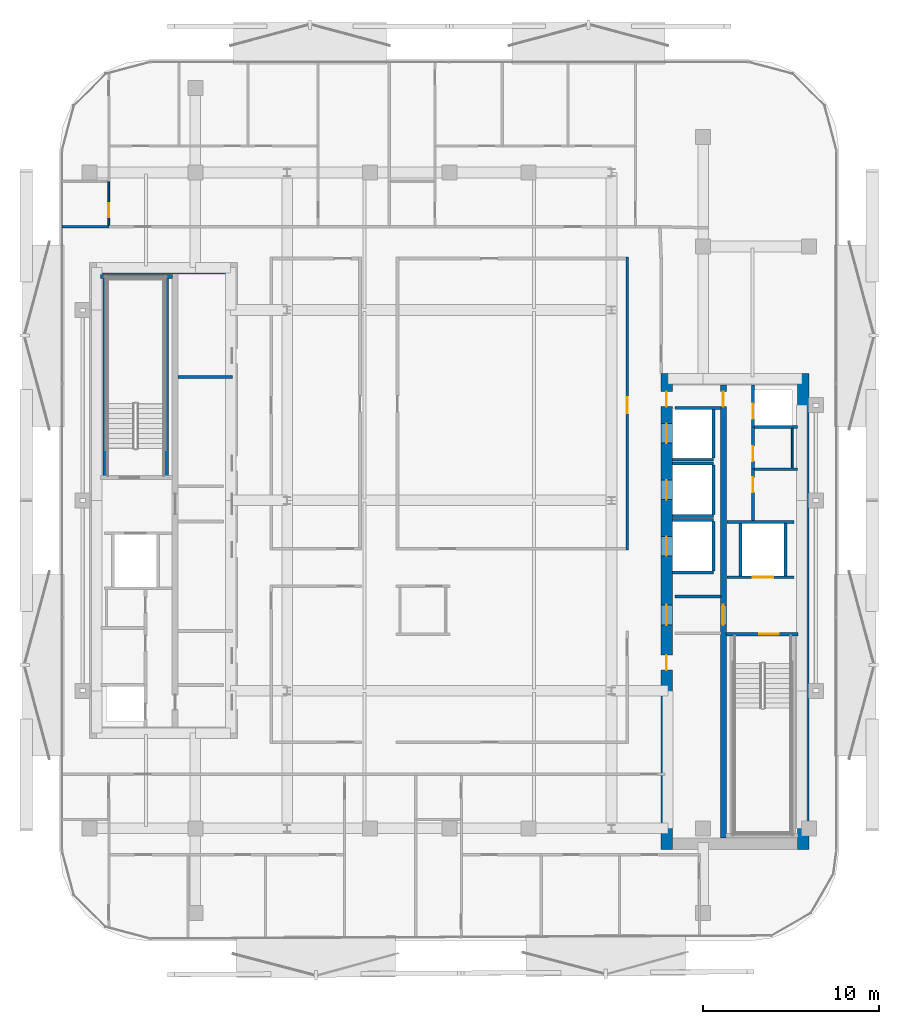
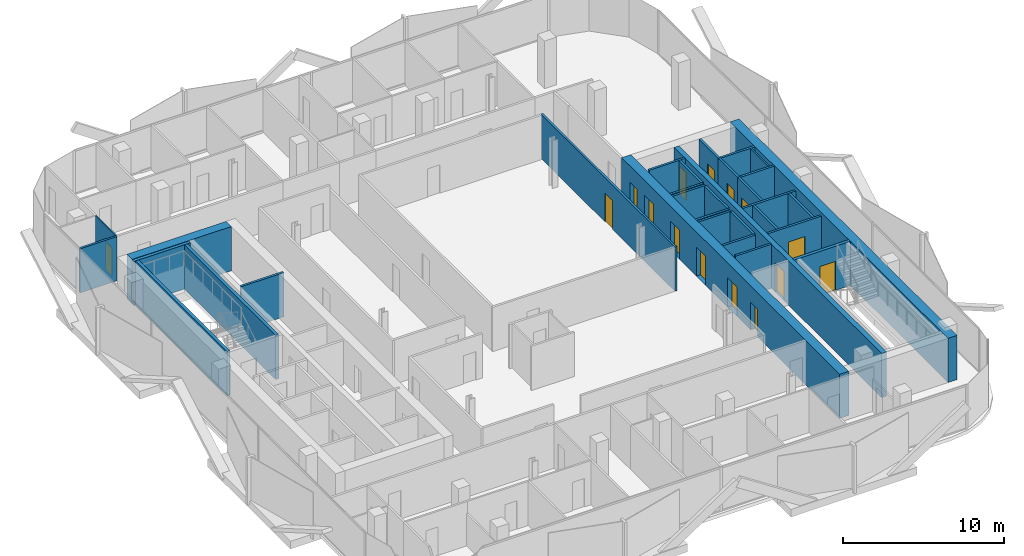
# One storey, part 5 of 14: 32 walls, 15 doors, 15 openings.
"""IFC4 building model written with IfcOpenShell, lengths in metres."""

from ifc_helpers import new_model, si_unit, direction, frame, frame_2d, origin, place, context, subcontext, project, spatial, rectangle, extrude, material, layer, layer_set, type_object, element, fill, save


model = new_model("IFC4")

# Units and contexts
model_context = context("Model", 3, precision=1e-05, world=origin(), true_north=direction((0.0, 1.0)))
body_context = subcontext(model_context, "Body", "Model", "MODEL_VIEW")
ifc_project = project(units=[si_unit("LENGTHUNIT", "METRE"), si_unit("AREAUNIT", "SQUARE_METRE"), si_unit("VOLUMEUNIT", "CUBIC_METRE"), si_unit("PLANEANGLEUNIT", "RADIAN"), si_unit("MASSUNIT", "GRAM", prefix="KILO")], contexts=[model_context])

# Site, building, storey
site_placement = place(None, origin())
site = spatial("IfcSite", under=ifc_project, at=site_placement, CompositionType="ELEMENT")
building_placement = place(site_placement, origin())
building = spatial("IfcBuilding", under=site, at=building_placement, Name="Khairoan Windgate Tower", CompositionType="ELEMENT")
storey_placement = place(building_placement, frame((0.0, 0.0, 229.60009765625)))
storey = spatial("IfcBuildingStorey", under=building, at=storey_placement, Name="L53", CompositionType="ELEMENT", Elevation=229.60009765625)

# Wall, opening, door
ifc_material_1 = material(Name="Moisture-Resistant Gypsum Partition", Category="gypsum")
ifc_layer_1 = layer(ifc_material_1, 0.10009765625, Name="Moisture-Resistant Gypsum Partition")
ifc_layer_set_1 = layer_set([ifc_layer_1], Name="Moisture-Resistant Gypsum Partition")
wall_type_1 = type_object("IfcWallType", Name="Bathroom Wet-Area Partition Wall", PredefinedType="PARTITIONING", material=ifc_layer_set_1)
wall_1_placement = place(storey_placement, frame((-19.31005859375, 15.60009765625, 0.0), z_axis=(0.0, 0.0, 1.0), x_axis=(0.0, 1.0, 0.0)))
wall_1 = element("IfcWall", 1, at=wall_1_placement, inside=storey, type_object=wall_type_1, Name="L53 Interior Partition 041", PredefinedType="PARTITIONING", context=body_context, shape_type="SweptSolid", body=[
    extrude(rectangle(XDim=2.5, YDim=0.10009765625, at=frame_2d((1.25, 0.0))), origin(), (0.0, 0.0, 1.0), 3.33984375),
])
opening_1_placement = place(wall_1_placement, frame((0.4599609375, 0.0, 0.0)))
opening_1 = element("IfcOpeningElement", 2, at=opening_1_placement, cuts=wall_1, Name="Opening ID-BTH", PredefinedType="OPENING", context=body_context, shape_type="SweptSolid", body=[
    extrude(rectangle(XDim=0.800048828125, YDim=2.10009765625, at=frame_2d((0.39990234375, 1.050048828125))), frame((0.0, 0.06005859375, 0.0), z_axis=(0.0, -1.0, 0.0), x_axis=(1.0, 0.0, 0.0)), (0.0, 0.0, 1.0), 0.1201171875),
])
ifc_material_2 = material(Name="Teak Veneer Timber Leaf", Category="wood")
door_type_1 = type_object("IfcDoorType", Name="Internal Bathroom Door ID-BTH 800x2100", OperationType="NOTDEFINED", PredefinedType="DOOR", material=ifc_material_2)
door_1_placement = place(opening_1_placement, origin())
door_1 = element("IfcDoor", 3, at=door_1_placement, inside=storey, type_object=door_type_1, Name="L53 L53-33-L53-35 Door", OperationType="SINGLE_SWING_RIGHT", OverallHeight=2.10009765625, OverallWidth=0.800048828125, PredefinedType="DOOR", context=body_context, shape_type="SweptSolid", body=[
    extrude(rectangle(XDim=0.800048828125, YDim=2.10009765625, at=frame_2d((0.39990234375, 1.050048828125))), frame((0.0, 0.02490234375, 0.0), z_axis=(0.0, -1.0, 0.0), x_axis=(1.0, 0.0, 0.0)), (0.0, 0.0, 1.0), 0.050048828125),
])
fill(opening_1, door_1)

# Walls
wall_2_placement = place(storey_placement, frame((19.449951171875, 4.090087890625, 0.0), z_axis=(0.0, 0.0, 1.0), x_axis=(0.0, -1.0, 0.0)))
element("IfcWall", 4, at=wall_2_placement, inside=storey, type_object=wall_type_1, Name="L53 Wet Room Side Wall 090", PredefinedType="PARTITIONING", context=body_context, shape_type="SweptSolid", body=[
    extrude(rectangle(XDim=2.239990234375, YDim=0.10009765625, at=frame_2d((1.1201171875, 0.0))), origin(), (0.0, 0.0, 1.0), 3.33984375),
])
ifc_material_3 = material(Name="Concrete C40/50", Category="concrete")
ifc_layer_2 = layer(ifc_material_3, 0.159912109375, Name="Concrete C40/50")
ifc_layer_set_2 = layer_set([ifc_layer_2], Name="Concrete C40/50")
wall_type_2 = type_object("IfcWallType", Name="Core and Hoistway Enclosure Wall", PredefinedType="STANDARD", material=ifc_layer_set_2)
wall_3_placement = place(storey_placement, frame((12.64990234375, 2.31005859375, 0.0), z_axis=(0.0, 0.0, 1.0), x_axis=(1.0, 0.0, 0.0)))
element("IfcWall", 5, at=wall_3_placement, inside=storey, type_object=wall_type_2, Name="L53 Lift PL7 Hoistway Divider S", PredefinedType="STANDARD", context=body_context, shape_type="SweptSolid", body=[
    extrude(rectangle(XDim=2.340087890625, YDim=0.159912109375, at=frame_2d((1.169921875, 0.0))), origin(), (0.0, 0.0, 1.0), 3.33984375),
])
wall_4_placement = place(storey_placement, frame((14.989990234375, 2.39990234375, 0.0), z_axis=(0.0, 0.0, 1.0), x_axis=(0.0, 1.0, 0.0)))
element("IfcWall", 6, at=wall_4_placement, inside=storey, type_object=wall_type_2, Name="L53 Lift PL7 Hoistway Back Wall", PredefinedType="STANDARD", context=body_context, shape_type="SweptSolid", body=[
    extrude(rectangle(XDim=2.800048828125, YDim=0.159912109375, at=frame_2d((1.39990234375, 0.0))), origin(), (0.0, 0.0, 1.0), 3.33984375),
])
for number, where, z_axis, x_axis, name in (
    (7, (12.64990234375, -0.889892578125, 0.0), (0.0, 0.0, 1.0), (1.0, 0.0, 0.0), "L53 Lift PL8 Hoistway Divider S"),
    (8, (12.64990234375, 2.090087890625, 0.0), (0.0, 0.0, 1.0), (1.0, 0.0, 0.0), "L53 Lift PL8 Hoistway Divider N"),
):
    element("IfcWall", number, at=place(storey_placement, frame(where, z_axis=z_axis, x_axis=x_axis)), inside=storey, type_object=wall_type_2, Name=name, PredefinedType="STANDARD", context=body_context, shape_type="SweptSolid", body=[
        extrude(rectangle(XDim=2.340087890625, YDim=0.159912109375, at=frame_2d((1.169921875, 0.0))), origin(), (0.0, 0.0, 1.0), 3.33984375),
    ])
wall_5_placement = place(storey_placement, frame((14.989990234375, -0.800048828125, 0.0), z_axis=(0.0, 0.0, 1.0), x_axis=(0.0, 1.0, 0.0)))
element("IfcWall", 9, at=wall_5_placement, inside=storey, type_object=wall_type_2, Name="L53 Lift PL8 Hoistway Back Wall", PredefinedType="STANDARD", context=body_context, shape_type="SweptSolid", body=[
    extrude(rectangle(XDim=2.800048828125, YDim=0.159912109375, at=frame_2d((1.39990234375, 0.0))), origin(), (0.0, 0.0, 1.0), 3.33984375),
])
for number, where, z_axis, x_axis, name in (
    (10, (12.64990234375, -4.090087890625, 0.0), (0.0, 0.0, 1.0), (1.0, 0.0, 0.0), "L53 Lift PL9 Hoistway Divider S"),
    (11, (12.64990234375, -1.110107421875, 0.0), (0.0, 0.0, 1.0), (1.0, 0.0, 0.0), "L53 Lift PL9 Hoistway Divider N"),
):
    element("IfcWall", number, at=place(storey_placement, frame(where, z_axis=z_axis, x_axis=x_axis)), inside=storey, type_object=wall_type_2, Name=name, PredefinedType="STANDARD", context=body_context, shape_type="SweptSolid", body=[
        extrude(rectangle(XDim=2.340087890625, YDim=0.159912109375, at=frame_2d((1.169921875, 0.0))), origin(), (0.0, 0.0, 1.0), 3.33984375),
    ])
wall_6_placement = place(storey_placement, frame((14.989990234375, -4.0, 0.0), z_axis=(0.0, 0.0, 1.0), x_axis=(0.0, 1.0, 0.0)))
element("IfcWall", 12, at=wall_6_placement, inside=storey, type_object=wall_type_2, Name="L53 Lift PL9 Hoistway Back Wall", PredefinedType="STANDARD", context=body_context, shape_type="SweptSolid", body=[
    extrude(rectangle(XDim=2.800048828125, YDim=0.159912109375, at=frame_2d((1.39990234375, 0.0))), origin(), (0.0, 0.0, 1.0), 3.33984375),
])

# Wall, opening, door
wall_7_placement = place(storey_placement, frame((15.75, -4.360107421875, 0.0), z_axis=(0.0, 0.0, 1.0), x_axis=(1.0, 0.0, 0.0)))
wall_7 = element("IfcWall", 13, at=wall_7_placement, inside=storey, type_object=wall_type_2, Name="L53 Core Shaft Wall SW-FL1-L53", PredefinedType="STANDARD", context=body_context, shape_type="SweptSolid", body=[
    extrude(rectangle(XDim=3.800048828125, YDim=0.159912109375, at=frame_2d((1.89990234375, 0.0))), origin(), (0.0, 0.0, 1.0), 3.33984375),
])
opening_2_placement = place(wall_7_placement, frame((1.469970703125, 0.0, 0.0)))
opening_2 = element("IfcOpeningElement", 14, at=opening_2_placement, cuts=wall_7, Name="Opening LD-FL", PredefinedType="OPENING", context=body_context, shape_type="SweptSolid", body=[
    extrude(rectangle(XDim=1.14990234375, YDim=2.199951171875, at=frame_2d((0.574951171875, 1.10009765625))), frame((0.0, 0.08984375, 0.0), z_axis=(0.0, -1.0, 0.0), x_axis=(1.0, 0.0, 0.0)), (0.0, 0.0, 1.0), 0.179931640625),
])
ifc_material_4 = material(Name="Steel S355", Category="steel")
door_type_2 = type_object("IfcDoorType", Name="Firefighting Lift Sliding Landing Door LD-FL 1150x2200", OperationType="DOUBLE_DOOR_SLIDING", PredefinedType="DOOR", material=ifc_material_4)
door_2_placement = place(opening_2_placement, origin())
door_2 = element("IfcDoor", 15, at=door_2_placement, inside=storey, type_object=door_type_2, Name="L53 Firefighting Lift FL1 Landing Door", OperationType="DOUBLE_DOOR_SLIDING", OverallHeight=2.199951171875, OverallWidth=1.14990234375, PredefinedType="DOOR", context=body_context, shape_type="SweptSolid", body=[
    extrude(rectangle(XDim=1.14990234375, YDim=2.199951171875, at=frame_2d((0.574951171875, 1.10009765625))), frame((0.0, 0.02490234375, 0.0), z_axis=(0.0, -1.0, 0.0), x_axis=(1.0, 0.0, 0.0)), (0.0, 0.0, 1.0), 0.050048828125),
])
fill(opening_2, door_2)

# Walls
wall_8_placement = place(storey_placement, frame((15.75, -1.219970703125, 0.0), z_axis=(0.0, 0.0, 1.0), x_axis=(1.0, 0.0, 0.0)))
element("IfcWall", 16, at=wall_8_placement, inside=storey, type_object=wall_type_2, Name="L53 Core Shaft Wall SW-FL1T-L53", PredefinedType="STANDARD", context=body_context, shape_type="SweptSolid", body=[
    extrude(rectangle(XDim=3.800048828125, YDim=0.159912109375, at=frame_2d((1.89990234375, 0.0))), origin(), (0.0, 0.0, 1.0), 3.33984375),
])
for number, where, z_axis, x_axis, name in (
    (17, (16.52001953125, -4.280029296875, 0.0), (0.0, 0.0, 1.0), (0.0, 1.0, 0.0), "L53 Core Shaft Wall SW-FL1W-L53"),
    (18, (19.080078125, -4.280029296875, 0.0), (0.0, 0.0, 1.0), (0.0, 1.0, 0.0), "L53 Core Shaft Wall SW-FL1E-L53"),
):
    element("IfcWall", number, at=place(storey_placement, frame(where, z_axis=z_axis, x_axis=x_axis)), inside=storey, type_object=wall_type_2, Name=name, PredefinedType="STANDARD", context=body_context, shape_type="SweptSolid", body=[
        extrude(rectangle(XDim=2.97998046875, YDim=0.159912109375, at=frame_2d((1.489990234375, 0.0))), origin(), (0.0, 0.0, 1.0), 3.33984375),
    ])
for number, where, z_axis, x_axis, name in (
    (19, (12.800048828125, -5.449951171875, 0.0), (0.0, 0.0, 1.0), (1.0, 0.0, 0.0), "L53 Core Shaft Wall SW-EV1-L53"),
    (20, (12.800048828125, 5.25, 0.0), (0.0, 0.0, 1.0), (1.0, 0.0, 0.0), "L53 Core Shaft Wall SW-ESV-L53"),
):
    element("IfcWall", number, at=place(storey_placement, frame(where, z_axis=z_axis, x_axis=x_axis)), inside=storey, type_object=wall_type_2, Name=name, PredefinedType="STANDARD", context=body_context, shape_type="SweptSolid", body=[
        extrude(rectangle(XDim=2.599853515625, YDim=0.159912109375, at=frame_2d((1.2998046875, 0.0))), origin(), (0.0, 0.0, 1.0), 3.33984375),
    ])
ifc_material_5 = material(Name="Concrete C40/50", Category="concrete")
ifc_layer_3 = layer(ifc_material_5, 0.159912109375, Name="Concrete C40/50")
ifc_layer_set_3 = layer_set([ifc_layer_3], Name="Concrete C40/50")
wall_type_3 = type_object("IfcWallType", Name="Plant and Refuge Compartment Wall", PredefinedType="PARTITIONING", material=ifc_layer_set_3)
wall_9_placement = place(storey_placement, frame((-15.375, 7.0, 0.0), z_axis=(0.0, 0.0, 1.0), x_axis=(1.0, 0.0, 0.0)))
element("IfcWall", 21, at=wall_9_placement, inside=storey, type_object=wall_type_3, Name="L53 Interior Partition 006", PredefinedType="PARTITIONING", context=body_context, shape_type="SweptSolid", body=[
    extrude(rectangle(XDim=3.06494140625, YDim=0.159912109375, at=frame_2d((1.532470703125, 0.0))), origin(), (0.0, 0.0, 1.0), 3.33984375),
])

# Wall, opening, door
wall_10_placement = place(storey_placement, frame((17.22998046875, 4.169921875, 0.0), z_axis=(0.0, 0.0, 1.0), x_axis=(0.0, 1.0, 0.0)))
wall_10 = element("IfcWall", 22, at=wall_10_placement, inside=storey, type_object=wall_type_3, Name="L53 Interior Partition 008", PredefinedType="PARTITIONING", context=body_context, shape_type="SweptSolid", body=[
    extrude(rectangle(XDim=2.380126953125, YDim=0.159912109375, at=frame_2d((1.18994140625, 0.0))), origin(), (0.0, 0.0, 1.0), 3.33984375),
])
opening_3_placement = place(wall_10_placement, frame((0.4599609375, 0.0, 0.0)))
opening_3 = element("IfcOpeningElement", 23, at=opening_3_placement, cuts=wall_10, Name="Opening FD-SRV", PredefinedType="OPENING", context=body_context, shape_type="SweptSolid", body=[
    extrude(rectangle(XDim=0.85009765625, YDim=2.10009765625, at=frame_2d((0.425048828125, 1.050048828125))), frame((0.0, 0.08984375, 0.0), z_axis=(0.0, -1.0, 0.0), x_axis=(1.0, 0.0, 0.0)), (0.0, 0.0, 1.0), 0.179931640625),
])
ifc_material_6 = material(Name="Steel S355", Category="steel")
door_type_3 = type_object("IfcDoorType", Name="Core Service and Riser Fire Door FD-SRV 850x2100", OperationType="NOTDEFINED", PredefinedType="DOOR", material=ifc_material_6)
door_3_placement = place(opening_3_placement, origin())
door_3 = element("IfcDoor", 24, at=door_3_placement, inside=storey, type_object=door_type_3, Name="L53 L53-17-L53-18 Door", OperationType="SINGLE_SWING_LEFT", OverallHeight=2.10009765625, OverallWidth=0.85009765625, PredefinedType="DOOR", context=body_context, shape_type="SweptSolid", body=[
    extrude(rectangle(XDim=0.85009765625, YDim=2.10009765625, at=frame_2d((0.425048828125, 1.050048828125))), frame((0.0, 0.02490234375, 0.0), z_axis=(0.0, -1.0, 0.0), x_axis=(1.0, 0.0, 0.0)), (0.0, 0.0, 1.0), 0.050048828125),
])
fill(opening_3, door_3)

wall_11_placement = place(storey_placement, frame((17.22998046875, 1.77001953125, 0.0), z_axis=(0.0, 0.0, 1.0), x_axis=(0.0, 1.0, 0.0)))
wall_11 = element("IfcWall", 25, at=wall_11_placement, inside=storey, type_object=wall_type_3, Name="L53 Interior Partition 009", PredefinedType="PARTITIONING", context=body_context, shape_type="SweptSolid", body=[
    extrude(rectangle(XDim=2.39990234375, YDim=0.159912109375, at=frame_2d((1.199951171875, 0.0))), origin(), (0.0, 0.0, 1.0), 3.33984375),
])
opening_4_placement = place(wall_11_placement, frame((0.4599609375, 0.0, 0.0)))
opening_4 = element("IfcOpeningElement", 26, at=opening_4_placement, cuts=wall_11, Name="Opening FD-SRV", PredefinedType="OPENING", context=body_context, shape_type="SweptSolid", body=[
    extrude(rectangle(XDim=0.85009765625, YDim=2.10009765625, at=frame_2d((0.425048828125, 1.050048828125))), frame((0.0, 0.08984375, 0.0), z_axis=(0.0, -1.0, 0.0), x_axis=(1.0, 0.0, 0.0)), (0.0, 0.0, 1.0), 0.179931640625),
])
door_4_placement = place(opening_4_placement, origin())
door_4 = element("IfcDoor", 27, at=door_4_placement, inside=storey, type_object=door_type_3, Name="L53 L53-17-L53-19 Door", OperationType="SINGLE_SWING_RIGHT", OverallHeight=2.10009765625, OverallWidth=0.85009765625, PredefinedType="DOOR", context=body_context, shape_type="SweptSolid", body=[
    extrude(rectangle(XDim=0.85009765625, YDim=2.10009765625, at=frame_2d((0.425048828125, 1.050048828125))), frame((0.0, 0.02490234375, 0.0), z_axis=(0.0, -1.0, 0.0), x_axis=(1.0, 0.0, 0.0)), (0.0, 0.0, 1.0), 0.050048828125),
])
fill(opening_4, door_4)

wall_12_placement = place(storey_placement, frame((17.22998046875, -1.139892578125, 0.0), z_axis=(0.0, 0.0, 1.0), x_axis=(0.0, 1.0, 0.0)))
wall_12 = element("IfcWall", 28, at=wall_12_placement, inside=storey, type_object=wall_type_3, Name="L53 Interior Partition 010", PredefinedType="PARTITIONING", context=body_context, shape_type="SweptSolid", body=[
    extrude(rectangle(XDim=2.909912109375, YDim=0.159912109375, at=frame_2d((1.455078125, 0.0))), origin(), (0.0, 0.0, 1.0), 3.33984375),
])
opening_5_placement = place(wall_12_placement, frame((1.60009765625, 0.0, 0.0)))
opening_5 = element("IfcOpeningElement", 29, at=opening_5_placement, cuts=wall_12, Name="Opening FD-SRV", PredefinedType="OPENING", context=body_context, shape_type="SweptSolid", body=[
    extrude(rectangle(XDim=0.85009765625, YDim=2.10009765625, at=frame_2d((0.425048828125, 1.050048828125))), frame((0.0, 0.08984375, 0.0), z_axis=(0.0, -1.0, 0.0), x_axis=(1.0, 0.0, 0.0)), (0.0, 0.0, 1.0), 0.179931640625),
])
door_5_placement = place(opening_5_placement, origin())
door_5 = element("IfcDoor", 30, at=door_5_placement, inside=storey, type_object=door_type_3, Name="L53 L53-17-L53-20 Door", OperationType="SINGLE_SWING_LEFT", OverallHeight=2.10009765625, OverallWidth=0.85009765625, PredefinedType="DOOR", context=body_context, shape_type="SweptSolid", body=[
    extrude(rectangle(XDim=0.85009765625, YDim=2.10009765625, at=frame_2d((0.425048828125, 1.050048828125))), frame((0.0, 0.02490234375, 0.0), z_axis=(0.0, -1.0, 0.0), x_axis=(1.0, 0.0, 0.0)), (0.0, 0.0, 1.0), 0.050048828125),
])
fill(opening_5, door_5)

# Walls
for number, where, z_axis, x_axis, name in (
    (31, (17.31005859375, 4.169921875, 0.0), (0.0, 0.0, 1.0), (1.0, 0.0, 0.0), "L53 Interior Partition 011"),
    (32, (17.31005859375, 1.77001953125, 0.0), (0.0, 0.0, 1.0), (1.0, 0.0, 0.0), "L53 Interior Partition 012"),
):
    element("IfcWall", number, at=place(storey_placement, frame(where, z_axis=z_axis, x_axis=x_axis)), inside=storey, type_object=wall_type_3, Name=name, PredefinedType="PARTITIONING", context=body_context, shape_type="SweptSolid", body=[
        extrude(rectangle(XDim=2.43994140625, YDim=0.159912109375, at=frame_2d((1.219970703125, 0.0))), origin(), (0.0, 0.0, 1.0), 3.33984375),
    ])

# Wall, opening, door
ifc_material_7 = material(Name="Acoustic Fire-Rated Gypsum Partition", Category="gypsum")
ifc_layer_4 = layer(ifc_material_7, 0.14990234375, Name="Acoustic Fire-Rated Gypsum Partition")
ifc_layer_set_4 = layer_set([ifc_layer_4], Name="Acoustic Fire-Rated Gypsum Partition")
wall_type_4 = type_object("IfcWallType", Name="Rated Corridor Partition Wall", PredefinedType="PARTITIONING", material=ifc_layer_set_4)
wall_13_placement = place(storey_placement, frame((10.10009765625, -2.81005859375, 0.0), z_axis=(0.0, 0.0, 1.0), x_axis=(0.0, 1.0, 0.0)))
wall_13 = element("IfcWall", 33, at=wall_13_placement, inside=storey, type_object=wall_type_4, Name="L53 Interior Partition 016", PredefinedType="PARTITIONING", context=body_context, shape_type="SweptSolid", body=[
    extrude(rectangle(XDim=16.60498046875, YDim=0.14990234375, at=frame_2d((8.302490234375, 0.0))), origin(), (0.0, 0.0, 1.0), 3.33984375),
])
opening_6_placement = place(wall_13_placement, frame((7.751220703125, 0.0, 0.0)))
opening_6 = element("IfcOpeningElement", 34, at=opening_6_placement, cuts=wall_13, Name="Opening FD-ENT", PredefinedType="OPENING", context=body_context, shape_type="SweptSolid", body=[
    extrude(rectangle(XDim=0.89990234375, YDim=2.14990234375, at=frame_2d((0.449951171875, 1.074951171875))), frame((0.0, 0.0849609375, 0.0), z_axis=(0.0, -1.0, 0.0), x_axis=(1.0, 0.0, 0.0)), (0.0, 0.0, 1.0), 0.169921875),
])
ifc_material_8 = material(Name="Timber Fire-Rated Core", Category="wood")
door_type_4 = type_object("IfcDoorType", Name="Unit and Office Fire Entrance Door FD-ENT 900x2150", OperationType="NOTDEFINED", PredefinedType="DOOR", material=ifc_material_8)
door_6_placement = place(opening_6_placement, origin())
door_6 = element("IfcDoor", 35, at=door_6_placement, inside=storey, type_object=door_type_4, Name="L53 L53-28-L53-64 Door", OperationType="SINGLE_SWING_LEFT", OverallHeight=2.14990234375, OverallWidth=0.89990234375, PredefinedType="DOOR", context=body_context, shape_type="SweptSolid", body=[
    extrude(rectangle(XDim=0.89990234375, YDim=2.14990234375, at=frame_2d((0.449951171875, 1.074951171875))), frame((0.0, 0.02490234375, 0.0), z_axis=(0.0, -1.0, 0.0), x_axis=(1.0, 0.0, 0.0)), (0.0, 0.0, 1.0), 0.050048828125),
])
fill(opening_6, door_6)

# Wall
wall_14_placement = place(storey_placement, frame((-21.955078125, 15.52490234375, 0.0), z_axis=(0.0, 0.0, 1.0), x_axis=(1.0, 0.0, 0.0)))
element("IfcWall", 36, at=wall_14_placement, inside=storey, type_object=wall_type_4, Name="L53 Interior Partition 024", PredefinedType="PARTITIONING", context=body_context, shape_type="SweptSolid", body=[
    extrude(rectangle(XDim=2.64501953125, YDim=0.14990234375, at=frame_2d((1.322509765625, 0.0))), origin(), (0.0, 0.0, 1.0), 3.33984375),
])

# Wall, openings, doors
ifc_material_9 = material(Name="Concrete C60/75", Category="concrete")
ifc_layer_5 = layer(ifc_material_9, 0.64990234375, Name="Concrete C60/75")
ifc_layer_set_5 = layer_set([ifc_layer_5], Name="Concrete C60/75")
wall_type_5 = type_object("IfcWallType", Name="Shear Wall CW-E2 650mm", PredefinedType="SHEAR", material=ifc_layer_set_5)
wall_15_placement = place(storey_placement, frame((12.324951171875, -19.800048828125, 0.0), z_axis=(0.0, 0.0, 1.0), x_axis=(0.0, 1.0, 0.0)))
wall_15 = element("IfcWall", 37, at=wall_15_placement, inside=storey, type_object=wall_type_5, Name="E Core West Shear Wall L53", PredefinedType="SHEAR", context=body_context, shape_type="SweptSolid", body=[
    extrude(rectangle(XDim=27.0, YDim=0.64990234375, at=frame_2d((13.5, 0.0))), origin(), (0.0, 0.0, 1.0), 3.33984375),
])
opening_7_placement = place(wall_15_placement, frame((23.050048828125, 0.0, 0.0)))
opening_7 = element("IfcOpeningElement", 38, at=opening_7_placement, cuts=wall_15, Name="Opening LD-PL", PredefinedType="OPENING", context=body_context, shape_type="SweptSolid", body=[
    extrude(rectangle(XDim=1.10009765625, YDim=2.199951171875, at=frame_2d((0.550048828125, 1.10009765625))), frame((0.0, 0.3349609375, 0.0), z_axis=(0.0, -1.0, 0.0), x_axis=(1.0, 0.0, 0.0)), (0.0, 0.0, 1.0), 0.669921875),
])
opening_8_placement = place(wall_15_placement, frame((19.85009765625, 0.0, 0.0)))
opening_8 = element("IfcOpeningElement", 39, at=opening_8_placement, cuts=wall_15, Name="Opening LD-PL", PredefinedType="OPENING", context=body_context, shape_type="SweptSolid", body=[
    extrude(rectangle(XDim=1.10009765625, YDim=2.199951171875, at=frame_2d((0.550048828125, 1.10009765625))), frame((0.0, 0.3349609375, 0.0), z_axis=(0.0, -1.0, 0.0), x_axis=(1.0, 0.0, 0.0)), (0.0, 0.0, 1.0), 0.669921875),
])
opening_9_placement = place(wall_15_placement, frame((16.64990234375, 0.0, 0.0)))
opening_9 = element("IfcOpeningElement", 40, at=opening_9_placement, cuts=wall_15, Name="Opening LD-PL", PredefinedType="OPENING", context=body_context, shape_type="SweptSolid", body=[
    extrude(rectangle(XDim=1.10009765625, YDim=2.199951171875, at=frame_2d((0.550048828125, 1.10009765625))), frame((0.0, 0.3349609375, 0.0), z_axis=(0.0, -1.0, 0.0), x_axis=(1.0, 0.0, 0.0)), (0.0, 0.0, 1.0), 0.669921875),
])
opening_10_placement = place(wall_15_placement, frame((10.175048828125, 0.0, 0.0)))
opening_10 = element("IfcOpeningElement", 41, at=opening_10_placement, cuts=wall_15, Name="Opening FD-SRV", PredefinedType="OPENING", context=body_context, shape_type="SweptSolid", body=[
    extrude(rectangle(XDim=0.85009765625, YDim=2.10009765625, at=frame_2d((0.425048828125, 1.050048828125))), frame((0.0, 0.3349609375, 0.0), z_axis=(0.0, -1.0, 0.0), x_axis=(1.0, 0.0, 0.0)), (0.0, 0.0, 1.0), 0.669921875),
])
opening_11_placement = place(wall_15_placement, frame((12.72509765625, 0.0, 0.0)))
opening_11 = element("IfcOpeningElement", 42, at=opening_11_placement, cuts=wall_15, Name="Opening FD-FFL", PredefinedType="OPENING", context=body_context, shape_type="SweptSolid", body=[
    extrude(rectangle(XDim=1.14990234375, YDim=2.199951171875, at=frame_2d((0.574951171875, 1.10009765625))), frame((0.0, 0.3349609375, 0.0), z_axis=(0.0, -1.0, 0.0), x_axis=(1.0, 0.0, 0.0)), (0.0, 0.0, 1.0), 0.669921875),
])
opening_12_placement = place(wall_15_placement, frame((25.125, 0.0, 0.0)))
opening_12 = element("IfcOpeningElement", 43, at=opening_12_placement, cuts=wall_15, Name="Opening FD-SRV", PredefinedType="OPENING", context=body_context, shape_type="SweptSolid", body=[
    extrude(rectangle(XDim=0.85009765625, YDim=2.10009765625, at=frame_2d((0.425048828125, 1.050048828125))), frame((0.0, 0.3349609375, 0.0), z_axis=(0.0, -1.0, 0.0), x_axis=(1.0, 0.0, 0.0)), (0.0, 0.0, 1.0), 0.669921875),
])
door_7_placement = place(opening_10_placement, origin())
door_7 = element("IfcDoor", 44, at=door_7_placement, inside=storey, type_object=door_type_3, Name="L53 East Core Service Room Door 1", OperationType="SINGLE_SWING_LEFT", OverallHeight=2.10009765625, OverallWidth=0.85009765625, PredefinedType="DOOR", context=body_context, shape_type="SweptSolid", body=[
    extrude(rectangle(XDim=0.85009765625, YDim=2.10009765625, at=frame_2d((0.425048828125, 1.050048828125))), frame((0.0, 0.02490234375, 0.0), z_axis=(0.0, -1.0, 0.0), x_axis=(1.0, 0.0, 0.0)), (0.0, 0.0, 1.0), 0.050048828125),
])
fill(opening_10, door_7)
door_8_placement = place(opening_12_placement, origin())
door_8 = element("IfcDoor", 45, at=door_8_placement, inside=storey, type_object=door_type_3, Name="L53 East Core Service Vestibule Outer Door", OperationType="SINGLE_SWING_RIGHT", OverallHeight=2.10009765625, OverallWidth=0.85009765625, PredefinedType="DOOR", context=body_context, shape_type="SweptSolid", body=[
    extrude(rectangle(XDim=0.85009765625, YDim=2.10009765625, at=frame_2d((0.425048828125, 1.050048828125))), frame((0.0, 0.02490234375, 0.0), z_axis=(0.0, -1.0, 0.0), x_axis=(1.0, 0.0, 0.0)), (0.0, 0.0, 1.0), 0.050048828125),
])
fill(opening_12, door_8)
ifc_material_10 = material(Name="Steel S355", Category="steel")
door_type_5 = type_object("IfcDoorType", Name="Firefighting Lobby Fire Door FD-FFL 1150x2200", OperationType="NOTDEFINED", PredefinedType="DOOR", material=ifc_material_10)
door_9_placement = place(opening_11_placement, origin())
door_9 = element("IfcDoor", 46, at=door_9_placement, inside=storey, type_object=door_type_5, Name="L53 East Core Vestibule Entry Door", OperationType="SINGLE_SWING_RIGHT", OverallHeight=2.199951171875, OverallWidth=1.14990234375, PredefinedType="DOOR", context=body_context, shape_type="SweptSolid", body=[
    extrude(rectangle(XDim=1.14990234375, YDim=2.199951171875, at=frame_2d((0.574951171875, 1.10009765625))), frame((0.0, 0.02490234375, 0.0), z_axis=(0.0, -1.0, 0.0), x_axis=(1.0, 0.0, 0.0)), (0.0, 0.0, 1.0), 0.050048828125),
])
fill(opening_11, door_9)
ifc_material_11 = material(Name="Anodised Bronze Aluminium 6063-T6", Category="aluminium")
door_type_6 = type_object("IfcDoorType", Name="Passenger Lift Sliding Landing Door LD-PL 1100x2200", OperationType="DOUBLE_DOOR_SLIDING", PredefinedType="DOOR", material=ifc_material_11)
door_10_placement = place(opening_7_placement, origin())
door_10 = element("IfcDoor", 47, at=door_10_placement, inside=storey, type_object=door_type_6, Name="L53 Lift PL7 Sliding Landing Door", OperationType="DOUBLE_DOOR_SLIDING", OverallHeight=2.199951171875, OverallWidth=1.10009765625, PredefinedType="DOOR", context=body_context, shape_type="SweptSolid", body=[
    extrude(rectangle(XDim=1.10009765625, YDim=2.199951171875, at=frame_2d((0.550048828125, 1.10009765625))), frame((0.0, 0.02490234375, 0.0), z_axis=(0.0, -1.0, 0.0), x_axis=(1.0, 0.0, 0.0)), (0.0, 0.0, 1.0), 0.050048828125),
])
fill(opening_7, door_10)
door_11_placement = place(opening_8_placement, origin())
door_11 = element("IfcDoor", 48, at=door_11_placement, inside=storey, type_object=door_type_6, Name="L53 Lift PL8 Sliding Landing Door", OperationType="DOUBLE_DOOR_SLIDING", OverallHeight=2.199951171875, OverallWidth=1.10009765625, PredefinedType="DOOR", context=body_context, shape_type="SweptSolid", body=[
    extrude(rectangle(XDim=1.10009765625, YDim=2.199951171875, at=frame_2d((0.550048828125, 1.10009765625))), frame((0.0, 0.02490234375, 0.0), z_axis=(0.0, -1.0, 0.0), x_axis=(1.0, 0.0, 0.0)), (0.0, 0.0, 1.0), 0.050048828125),
])
fill(opening_8, door_11)
door_12_placement = place(opening_9_placement, origin())
door_12 = element("IfcDoor", 49, at=door_12_placement, inside=storey, type_object=door_type_6, Name="L53 Lift PL9 Sliding Landing Door", OperationType="DOUBLE_DOOR_SLIDING", OverallHeight=2.199951171875, OverallWidth=1.10009765625, PredefinedType="DOOR", context=body_context, shape_type="SweptSolid", body=[
    extrude(rectangle(XDim=1.10009765625, YDim=2.199951171875, at=frame_2d((0.550048828125, 1.10009765625))), frame((0.0, 0.02490234375, 0.0), z_axis=(0.0, -1.0, 0.0), x_axis=(1.0, 0.0, 0.0)), (0.0, 0.0, 1.0), 0.050048828125),
])
fill(opening_9, door_12)

# Walls
wall_16_placement = place(storey_placement, frame((20.074951171875, -19.800048828125, 0.0), z_axis=(0.0, 0.0, 1.0), x_axis=(0.0, 1.0, 0.0)))
element("IfcWall", 50, at=wall_16_placement, inside=storey, type_object=wall_type_5, Name="E Core East Shear Wall L53", PredefinedType="SHEAR", context=body_context, shape_type="SweptSolid", body=[
    extrude(rectangle(XDim=27.0, YDim=0.64990234375, at=frame_2d((13.5, 0.0))), origin(), (0.0, 0.0, 1.0), 3.33984375),
])
ifc_material_12 = material(Name="Concrete C60/75", Category="concrete")
ifc_layer_6 = layer(ifc_material_12, 0.64990234375, Name="Concrete C60/75")
ifc_layer_set_6 = layer_set([ifc_layer_6], Name="Concrete C60/75")
wall_type_6 = type_object("IfcWallType", Name="Shear Wall CW-W2 650mm", PredefinedType="SHEAR", material=ifc_layer_set_6)
wall_17_placement = place(storey_placement, frame((-19.75, 13.175048828125, 0.0), z_axis=(0.0, 0.0, 1.0), x_axis=(1.0, 0.0, 0.0)))
element("IfcWall", 51, at=wall_17_placement, inside=storey, type_object=wall_type_6, Name="W Core North Shear Wall L53", PredefinedType="SHEAR", context=body_context, shape_type="SweptSolid", body=[
    extrude(rectangle(XDim=7.10009765625, YDim=0.64990234375, at=frame_2d((3.550048828125, 0.0))), origin(), (0.0, 0.0, 1.0), 3.33984375),
])

# Wall, openings, doors
ifc_material_13 = material(Name="Concrete C60/75", Category="concrete")
ifc_layer_7 = layer(ifc_material_13, 0.35009765625, Name="Concrete C60/75")
ifc_layer_set_7 = layer_set([ifc_layer_7], Name="Concrete C60/75")
wall_type_7 = type_object("IfcWallType", Name="Shear Wall SW-1 350mm", PredefinedType="SHEAR", material=ifc_layer_set_7)
wall_18_placement = place(storey_placement, frame((15.550048828125, -19.14990234375, 0.0), z_axis=(0.0, 0.0, 1.0), x_axis=(0.0, 1.0, 0.0)))
wall_18 = element("IfcWall", 52, at=wall_18_placement, inside=storey, type_object=wall_type_7, Name="E Core Spine Shear Wall L53", PredefinedType="SHEAR", context=body_context, shape_type="SweptSolid", body=[
    extrude(rectangle(XDim=25.699951171875, YDim=0.35009765625, at=frame_2d((12.85009765625, 0.0))), origin(), (0.0, 0.0, 1.0), 3.33984375),
])
opening_13_placement = place(wall_18_placement, frame((12.074951171875, 0.0, 0.0)))
opening_13 = element("IfcOpeningElement", 53, at=opening_13_placement, cuts=wall_18, Name="Opening FD-FFL", PredefinedType="OPENING", context=body_context, shape_type="SweptSolid", body=[
    extrude(rectangle(XDim=1.14990234375, YDim=2.199951171875, at=frame_2d((0.574951171875, 1.10009765625))), frame((0.0, 0.18505859375, 0.0), z_axis=(0.0, -1.0, 0.0), x_axis=(1.0, 0.0, 0.0)), (0.0, 0.0, 1.0), 0.3701171875),
])
opening_14_placement = place(wall_18_placement, frame((24.47509765625, 0.0, 0.0)))
opening_14 = element("IfcOpeningElement", 54, at=opening_14_placement, cuts=wall_18, Name="Opening FD-SRV", PredefinedType="OPENING", context=body_context, shape_type="SweptSolid", body=[
    extrude(rectangle(XDim=0.85009765625, YDim=2.10009765625, at=frame_2d((0.425048828125, 1.050048828125))), frame((0.0, 0.18505859375, 0.0), z_axis=(0.0, -1.0, 0.0), x_axis=(1.0, 0.0, 0.0)), (0.0, 0.0, 1.0), 0.3701171875),
])
door_13_placement = place(opening_14_placement, origin())
door_13 = element("IfcDoor", 55, at=door_13_placement, inside=storey, type_object=door_type_3, Name="L53 East Core Service Passage Inner Door", OperationType="SINGLE_SWING_LEFT", OverallHeight=2.10009765625, OverallWidth=0.85009765625, PredefinedType="DOOR", context=body_context, shape_type="SweptSolid", body=[
    extrude(rectangle(XDim=0.85009765625, YDim=2.10009765625, at=frame_2d((0.425048828125, 1.050048828125))), frame((0.0, 0.02490234375, 0.0), z_axis=(0.0, -1.0, 0.0), x_axis=(1.0, 0.0, 0.0)), (0.0, 0.0, 1.0), 0.050048828125),
])
fill(opening_14, door_13)
door_14_placement = place(opening_13_placement, origin())
door_14 = element("IfcDoor", 56, at=door_14_placement, inside=storey, type_object=door_type_5, Name="L53 East Firefighting Lobby Fire Door", OperationType="SINGLE_SWING_LEFT", OverallHeight=2.199951171875, OverallWidth=1.14990234375, PredefinedType="DOOR", context=body_context, shape_type="SweptSolid", body=[
    extrude(rectangle(XDim=1.14990234375, YDim=2.199951171875, at=frame_2d((0.574951171875, 1.10009765625))), frame((0.0, 0.02490234375, 0.0), z_axis=(0.0, -1.0, 0.0), x_axis=(1.0, 0.0, 0.0)), (0.0, 0.0, 1.0), 0.050048828125),
])
fill(opening_13, door_14)

# Wall, opening, door
ifc_material_14 = material(Name="Concrete C50/60", Category="concrete")
ifc_layer_8 = layer(ifc_material_14, 0.219970703125, Name="Concrete C50/60")
ifc_layer_set_8 = layer_set([ifc_layer_8], Name="Concrete C50/60")
wall_type_8 = type_object("IfcWallType", Name="Shear Wall SW-ST 220mm", PredefinedType="SHEAR", material=ifc_layer_set_8)
wall_19_placement = place(storey_placement, frame((19.77001953125, -7.590087890625, 0.0), z_axis=(0.0, 0.0, 1.0), x_axis=(-1.0, 0.0, 0.0)))
wall_19 = element("IfcWall", 57, at=wall_19_placement, inside=storey, type_object=wall_type_8, Name="L53 Stair ST1 North Bearing Wall", PredefinedType="SHEAR", context=body_context, shape_type="SweptSolid", body=[
    extrude(rectangle(XDim=4.06494140625, YDim=0.219970703125, at=frame_2d((2.032470703125, 0.0))), origin(), (0.0, 0.0, 1.0), 3.33984375),
])
opening_15_placement = place(wall_19_placement, frame((1.080078125, 0.0, 0.0)))
opening_15 = element("IfcOpeningElement", 58, at=opening_15_placement, cuts=wall_19, Name="Opening FD-ST", PredefinedType="OPENING", context=body_context, shape_type="SweptSolid", body=[
    extrude(rectangle(XDim=1.10009765625, YDim=2.199951171875, at=frame_2d((0.550048828125, 1.10009765625))), frame((0.0, 0.119873046875, 0.0), z_axis=(0.0, -1.0, 0.0), x_axis=(1.0, 0.0, 0.0)), (0.0, 0.0, 1.0), 0.239990234375),
])
ifc_material_15 = material(Name="Steel S355", Category="steel")
door_type_7 = type_object("IfcDoorType", Name="Smokeproof Stair Fire Door FD-ST 1100x2200", OperationType="NOTDEFINED", PredefinedType="DOOR", material=ifc_material_15)
door_15_placement = place(opening_15_placement, origin())
door_15 = element("IfcDoor", 59, at=door_15_placement, inside=storey, type_object=door_type_7, Name="L53 Stair ST1 Fire Door", OperationType="SINGLE_SWING_LEFT", OverallHeight=2.199951171875, OverallWidth=1.10009765625, PredefinedType="DOOR", context=body_context, shape_type="SweptSolid", body=[
    extrude(rectangle(XDim=1.10009765625, YDim=2.199951171875, at=frame_2d((0.550048828125, 1.10009765625))), frame((0.0, 0.02490234375, 0.0), z_axis=(0.0, -1.0, 0.0), x_axis=(1.0, 0.0, 0.0)), (0.0, 0.0, 1.0), 0.050048828125),
])
fill(opening_15, door_15)

# Walls
for number, where, z_axis, x_axis, name in (
    (60, (-16.0400390625, 1.2900390625, 0.0), (0.0, 0.0, 1.0), (0.0, 1.0, 0.0), "L53 Stair ST2 East Bearing Wall"),
    (61, (-19.530029296875, 1.2900390625, 0.0), (0.0, 0.0, 1.0), (0.0, 1.0, 0.0), "L53 Stair ST2 West Bearing Wall"),
):
    element("IfcWall", number, at=place(storey_placement, frame(where, z_axis=z_axis, x_axis=x_axis)), inside=storey, type_object=wall_type_8, Name=name, PredefinedType="SHEAR", context=body_context, shape_type="SweptSolid", body=[
        extrude(rectangle(XDim=11.419921875, YDim=0.219970703125, at=frame_2d((5.7099609375, 0.0))), origin(), (0.0, 0.0, 1.0), 3.33984375),
    ])
wall_20_placement = place(storey_placement, frame((-19.77001953125, 12.7099609375, 0.0), z_axis=(0.0, 0.0, 1.0), x_axis=(1.0, 0.0, 0.0)))
element("IfcWall", 62, at=wall_20_placement, inside=storey, type_object=wall_type_8, Name="L53 Stair ST2 North Bearing Wall", PredefinedType="SHEAR", context=body_context, shape_type="SweptSolid", body=[
    extrude(rectangle(XDim=4.06494140625, YDim=0.219970703125, at=frame_2d((2.032470703125, 0.0))), origin(), (0.0, 0.0, 1.0), 3.33984375),
])

save(model, "model.ifc")
